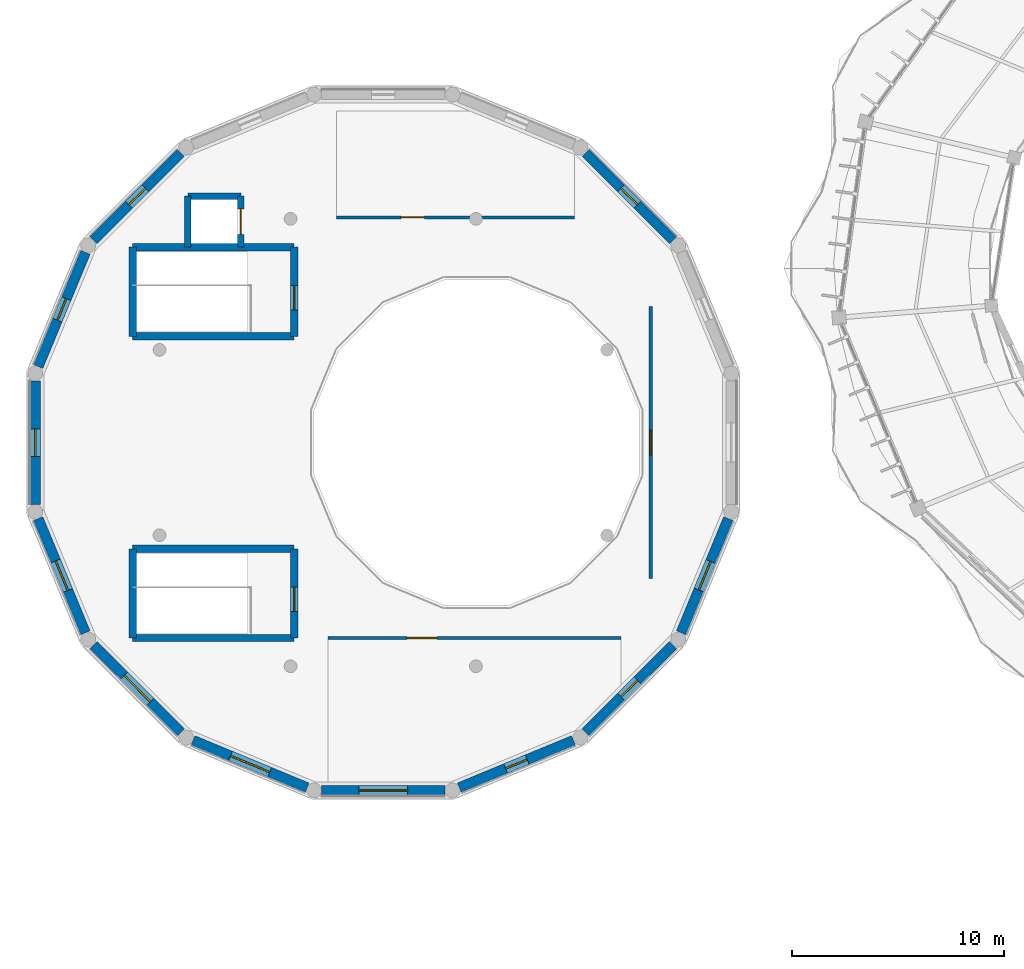
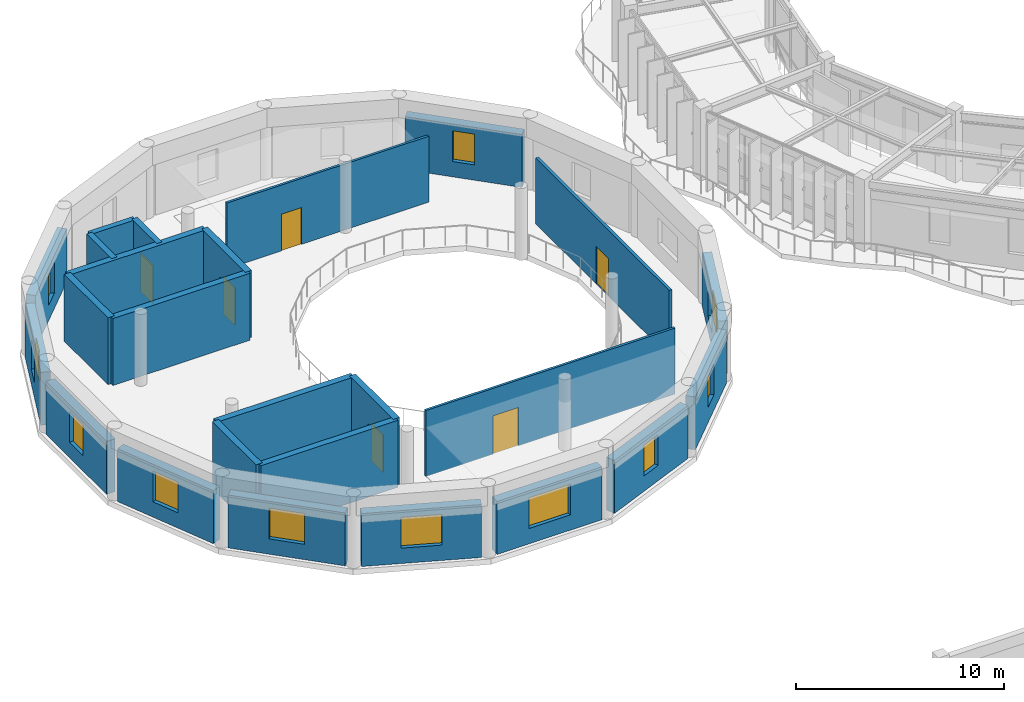
# One storey, part 91 of 114: 25 walls, 11 windows, 6 doors, 17 openings.
"""IFC4 building model written with IfcOpenShell, lengths in metres."""

from ifc_helpers import new_model, si_unit, direction, frame, frame_2d, origin, place, context, subcontext, project, spatial, rectangle, extrude, material, layer, layer_set, type_object, element, fill, save


model = new_model("IFC4")

# Units and contexts
model_context = context("Model", 3, precision=1e-05, world=origin(), true_north=direction((0.0, 1.0)))
body_context = subcontext(model_context, "Body", "Model", "MODEL_VIEW")
ifc_project = project(units=[si_unit("LENGTHUNIT", "METRE"), si_unit("AREAUNIT", "SQUARE_METRE"), si_unit("VOLUMEUNIT", "CUBIC_METRE"), si_unit("PLANEANGLEUNIT", "RADIAN"), si_unit("MASSUNIT", "GRAM", prefix="KILO"), si_unit("THERMODYNAMICTEMPERATUREUNIT", "KELVIN"), si_unit("POWERUNIT", "WATT")], contexts=[model_context])

# Site, building, storey
site_placement = place(None, origin())
site = spatial("IfcSite", under=ifc_project, at=site_placement, CompositionType="ELEMENT")
building_placement = place(site_placement, origin())
building = spatial("IfcBuilding", under=site, at=building_placement, Name="Darbajah Civic Hall", CompositionType="ELEMENT")
storey_placement = place(building_placement, frame((0.0, 0.0, 13.800048828125)))
storey = spatial("IfcBuildingStorey", under=building, at=storey_placement, Name="L03", CompositionType="ELEMENT", Elevation=13.800048828125)

# Walls
ifc_material_1 = material(Name="Concrete C45/55", Category="concrete")
ifc_layer_1 = layer(ifc_material_1, 0.300048828125, Name="Concrete C45/55")
ifc_layer_set_1 = layer_set([ifc_layer_1], Name="Concrete C45/55")
wall_type_1 = type_object("IfcWallType", Name="Core Shear Wall 300mm", PredefinedType="SHEAR", material=ifc_layer_set_1)
wall_1_placement = place(storey_placement, frame((10.10009765625, 93.199951171875, 0.0), z_axis=(0.0, 0.0, 1.0), x_axis=(-1.0, 0.0, 0.0)))
element("IfcWall", 1, at=wall_1_placement, inside=storey, type_object=wall_type_1, Name="L03 lift PL2 shaft wall N", PredefinedType="SHEAR", context=body_context, shape_type="SweptSolid", body=[
    extrude(rectangle(XDim=2.5, YDim=0.300048828125, at=frame_2d((1.25, 0.0))), origin(), (0.0, 0.0, 1.0), 3.919921875),
])
wall_2_placement = place(storey_placement, frame((7.60009765625, 93.199951171875, 0.0), z_axis=(0.0, 0.0, 1.0), x_axis=(0.0, -1.0, 0.0)))
element("IfcWall", 2, at=wall_2_placement, inside=storey, type_object=wall_type_1, Name="L03 lift PL2 shaft wall W", PredefinedType="SHEAR", context=body_context, shape_type="SweptSolid", body=[
    extrude(rectangle(XDim=2.39990234375, YDim=0.300048828125, at=frame_2d((1.199951171875, 0.0))), origin(), (0.0, 0.0, 1.0), 3.919921875),
])

# Wall, opening, door
wall_3_placement = place(storey_placement, frame((10.10009765625, 90.800048828125, 0.0), z_axis=(0.0, 0.0, 1.0), x_axis=(0.0, 1.0, 0.0)))
wall_3 = element("IfcWall", 3, at=wall_3_placement, inside=storey, type_object=wall_type_1, Name="L03 lift PL2 shaft wall E", PredefinedType="SHEAR", context=body_context, shape_type="SweptSolid", body=[
    extrude(rectangle(XDim=2.39990234375, YDim=0.300048828125, at=frame_2d((1.199951171875, 0.0))), origin(), (0.0, 0.0, 1.0), 3.919921875),
])
opening_1_placement = place(wall_3_placement, frame((0.60009765625, 0.0, 0.0)))
opening_1 = element("IfcOpeningElement", 4, at=opening_1_placement, cuts=wall_3, Name="Opening LD-0066", PredefinedType="OPENING", context=body_context, shape_type="SweptSolid", body=[
    extrude(rectangle(XDim=1.199951171875, YDim=2.25, at=frame_2d((0.60009765625, 1.125))), frame((0.0, 0.159912109375, 0.0), z_axis=(0.0, -1.0, 0.0), x_axis=(1.0, 0.0, 0.0)), (0.0, 0.0, 1.0), 0.320068359375),
])
ifc_material_2 = material(Name="Stainless Lift Landing Door")
door_type_1 = type_object("IfcDoorType", Name="Lift Landing Door 1200x2250", OperationType="SLIDING_TO_LEFT", PredefinedType="DOOR", material=ifc_material_2)
door_1_placement = place(opening_1_placement, origin())
door_1 = element("IfcDoor", 5, at=door_1_placement, inside=storey, type_object=door_type_1, Name="L03 lift PL2 landing door LD-0066", OperationType="SLIDING_TO_LEFT", OverallHeight=2.25, OverallWidth=1.199951171875, PredefinedType="DOOR", context=body_context, shape_type="SweptSolid", body=[
    extrude(rectangle(XDim=1.199951171875, YDim=2.25, at=frame_2d((0.60009765625, 1.125))), frame((0.0, 0.02490234375, 0.0), z_axis=(0.0, -1.0, 0.0), x_axis=(1.0, 0.0, 0.0)), (0.0, 0.0, 1.0), 0.050048828125),
])
fill(opening_1, door_1)

# Wall
ifc_material_3 = material(Name="Concrete C50/60", Category="concrete")
ifc_layer_2 = layer(ifc_material_3, 0.35009765625, Name="Concrete C50/60")
ifc_layer_set_2 = layer_set([ifc_layer_2], Name="Concrete C50/60")
wall_type_2 = type_object("IfcWallType", Name="Core Shear Wall 350mm", PredefinedType="SHEAR", material=ifc_layer_set_2)
wall_4_placement = place(storey_placement, frame((5.0, 86.60009765625, 0.0), z_axis=(0.0, 0.0, 1.0), x_axis=(1.0, 0.0, 0.0)))
element("IfcWall", 6, at=wall_4_placement, inside=storey, type_object=wall_type_2, Name="L03 core C04 shear wall S", PredefinedType="SHEAR", context=body_context, shape_type="SweptSolid", body=[
    extrude(rectangle(XDim=7.60009765625, YDim=0.35009765625, at=frame_2d((3.800048828125, 0.0))), origin(), (0.0, 0.0, 1.0), 3.919921875),
])

# Wall, opening, door
wall_5_placement = place(storey_placement, frame((12.60009765625, 86.60009765625, 0.0), z_axis=(0.0, 0.0, 1.0), x_axis=(0.0, 1.0, 0.0)))
wall_5 = element("IfcWall", 7, at=wall_5_placement, inside=storey, type_object=wall_type_2, Name="L03 core C04 shear wall E", PredefinedType="SHEAR", context=body_context, shape_type="SweptSolid", body=[
    extrude(rectangle(XDim=4.199951171875, YDim=0.35009765625, at=frame_2d((2.10009765625, 0.0))), origin(), (0.0, 0.0, 1.0), 3.919921875),
])
opening_2_placement = place(wall_5_placement, frame((1.25, 0.0, 0.0)))
opening_2 = element("IfcOpeningElement", 8, at=opening_2_placement, cuts=wall_5, Name="Opening SD-0061", PredefinedType="OPENING", context=body_context, shape_type="SweptSolid", body=[
    extrude(rectangle(XDim=1.14990234375, YDim=2.199951171875, at=frame_2d((0.574951171875, 1.10009765625))), frame((0.0, 0.18505859375, 0.0), z_axis=(0.0, -1.0, 0.0), x_axis=(1.0, 0.0, 0.0)), (0.0, 0.0, 1.0), 0.3701171875),
])
ifc_material_4 = material(Name="Steel Rated Core Door", Category="steel")
door_type_2 = type_object("IfcDoorType", Name="Interior Door 1150x2200", OperationType="NOTDEFINED", PredefinedType="DOOR", material=ifc_material_4)
door_2_placement = place(opening_2_placement, origin())
door_2 = element("IfcDoor", 9, at=door_2_placement, inside=storey, type_object=door_type_2, Name="L03 stair ST04 fire door SD-0061", OperationType="SINGLE_SWING_RIGHT", OverallHeight=2.199951171875, OverallWidth=1.14990234375, PredefinedType="DOOR", context=body_context, shape_type="SweptSolid", body=[
    extrude(rectangle(XDim=1.14990234375, YDim=2.199951171875, at=frame_2d((0.574951171875, 1.10009765625))), frame((0.0, 0.02490234375, 0.0), z_axis=(0.0, -1.0, 0.0), x_axis=(1.0, 0.0, 0.0)), (0.0, 0.0, 1.0), 0.050048828125),
])
fill(opening_2, door_2)

# Walls
wall_6_placement = place(storey_placement, frame((12.60009765625, 90.800048828125, 0.0), z_axis=(0.0, 0.0, 1.0), x_axis=(-1.0, 0.0, 0.0)))
element("IfcWall", 10, at=wall_6_placement, inside=storey, type_object=wall_type_2, Name="L03 core C04 shear wall N", PredefinedType="SHEAR", context=body_context, shape_type="SweptSolid", body=[
    extrude(rectangle(XDim=7.60009765625, YDim=0.35009765625, at=frame_2d((3.800048828125, 0.0))), origin(), (0.0, 0.0, 1.0), 3.919921875),
])
wall_7_placement = place(storey_placement, frame((5.0, 90.800048828125, 0.0), z_axis=(0.0, 0.0, 1.0), x_axis=(0.0, -1.0, 0.0)))
element("IfcWall", 11, at=wall_7_placement, inside=storey, type_object=wall_type_2, Name="L03 core C04 shear wall W", PredefinedType="SHEAR", context=body_context, shape_type="SweptSolid", body=[
    extrude(rectangle(XDim=4.199951171875, YDim=0.35009765625, at=frame_2d((2.10009765625, 0.0))), origin(), (0.0, 0.0, 1.0), 3.919921875),
])
wall_8_placement = place(storey_placement, frame((5.0, 72.39990234375, 0.0), z_axis=(0.0, 0.0, 1.0), x_axis=(1.0, 0.0, 0.0)))
element("IfcWall", 12, at=wall_8_placement, inside=storey, type_object=wall_type_2, Name="L03 core C05 shear wall S", PredefinedType="SHEAR", context=body_context, shape_type="SweptSolid", body=[
    extrude(rectangle(XDim=7.60009765625, YDim=0.35009765625, at=frame_2d((3.800048828125, 0.0))), origin(), (0.0, 0.0, 1.0), 3.919921875),
])

# Wall, opening, door
wall_9_placement = place(storey_placement, frame((12.60009765625, 72.39990234375, 0.0), z_axis=(0.0, 0.0, 1.0), x_axis=(0.0, 1.0, 0.0)))
wall_9 = element("IfcWall", 13, at=wall_9_placement, inside=storey, type_object=wall_type_2, Name="L03 core C05 shear wall E", PredefinedType="SHEAR", context=body_context, shape_type="SweptSolid", body=[
    extrude(rectangle(XDim=4.2001953125, YDim=0.35009765625, at=frame_2d((2.10009765625, 0.0))), origin(), (0.0, 0.0, 1.0), 3.919921875),
])
opening_3_placement = place(wall_9_placement, frame((1.25, 0.0, 0.0)))
opening_3 = element("IfcOpeningElement", 14, at=opening_3_placement, cuts=wall_9, Name="Opening SD-0071", PredefinedType="OPENING", context=body_context, shape_type="SweptSolid", body=[
    extrude(rectangle(XDim=1.14990234375, YDim=2.199951171875, at=frame_2d((0.574951171875, 1.10009765625))), frame((0.0, 0.18505859375, 0.0), z_axis=(0.0, -1.0, 0.0), x_axis=(1.0, 0.0, 0.0)), (0.0, 0.0, 1.0), 0.3701171875),
])
door_3_placement = place(opening_3_placement, origin())
door_3 = element("IfcDoor", 15, at=door_3_placement, inside=storey, type_object=door_type_2, Name="L03 stair ST05 fire door SD-0071", OperationType="SINGLE_SWING_RIGHT", OverallHeight=2.199951171875, OverallWidth=1.14990234375, PredefinedType="DOOR", context=body_context, shape_type="SweptSolid", body=[
    extrude(rectangle(XDim=1.14990234375, YDim=2.199951171875, at=frame_2d((0.574951171875, 1.10009765625))), frame((0.0, 0.02490234375, 0.0), z_axis=(0.0, -1.0, 0.0), x_axis=(1.0, 0.0, 0.0)), (0.0, 0.0, 1.0), 0.050048828125),
])
fill(opening_3, door_3)

# Walls
wall_10_placement = place(storey_placement, frame((12.60009765625, 76.60009765625, 0.0), z_axis=(0.0, 0.0, 1.0), x_axis=(-1.0, 0.0, 0.0)))
element("IfcWall", 16, at=wall_10_placement, inside=storey, type_object=wall_type_2, Name="L03 core C05 shear wall N", PredefinedType="SHEAR", context=body_context, shape_type="SweptSolid", body=[
    extrude(rectangle(XDim=7.60009765625, YDim=0.35009765625, at=frame_2d((3.800048828125, 0.0))), origin(), (0.0, 0.0, 1.0), 3.919921875),
])
wall_11_placement = place(storey_placement, frame((5.0, 76.60009765625, 0.0), z_axis=(0.0, 0.0, 1.0), x_axis=(0.0, -1.0, 0.0)))
element("IfcWall", 17, at=wall_11_placement, inside=storey, type_object=wall_type_2, Name="L03 core C05 shear wall W", PredefinedType="SHEAR", context=body_context, shape_type="SweptSolid", body=[
    extrude(rectangle(XDim=4.2001953125, YDim=0.35009765625, at=frame_2d((2.10009765625, 0.0))), origin(), (0.0, 0.0, 1.0), 3.919921875),
])

# Wall, opening, window
ifc_layer_3 = layer(ifc_material_3, 0.47998046875, Name="Concrete C50/60")
ifc_layer_set_3 = layer_set([ifc_layer_3], Name="Concrete C50/60")
wall_type_3 = type_object("IfcWallType", Name="Exterior Shear Wall 480mm", PredefinedType="SHEAR", material=ifc_layer_set_3)
wall_12_placement = place(storey_placement, frame((30.4375, 91.12744140625, 0.0), z_axis=(0.0, 0.0, 1.0), x_axis=(-0.707127782591, 0.707085779159, 0.0)))
wall_12 = element("IfcWall", 18, at=wall_12_placement, inside=storey, type_object=wall_type_3, Name="L03 exterior wall SW-480", PredefinedType="SHEAR", context=body_context, shape_type="SweptSolid", body=[
    extrude(rectangle(XDim=5.8125, YDim=0.47998046875, at=frame_2d((2.90625, 0.0))), origin(), (0.0, 0.0, 1.0), 3.099853515625),
])
opening_4_placement = place(wall_12_placement, frame((2.356201171875, 0.0, 0.89990234375)))
opening_4 = element("IfcOpeningElement", 19, at=opening_4_placement, cuts=wall_12, Name="Opening WN-17", PredefinedType="OPENING", context=body_context, shape_type="SweptSolid", body=[
    extrude(rectangle(XDim=1.10009765625, YDim=1.800048828125, at=frame_2d((0.550048828125, 0.89990234375))), frame((0.0, 0.25, 0.0), z_axis=(0.0, -1.0, 0.0), x_axis=(1.0, 0.0, 0.0)), (0.0, 0.0, 1.0), 0.5),
])
ifc_material_5 = material(Name="Low-E Solar Control Double Glazing", Category="glass")
window_type_1 = type_object("IfcWindowType", Name="Facade Window 1100x1800", PartitioningType="SINGLE_PANEL", PredefinedType="WINDOW", material=ifc_material_5)
window_1_placement = place(opening_4_placement, origin())
window_1 = element("IfcWindow", 20, at=window_1_placement, inside=storey, type_object=window_type_1, Name="L03 facade window WN-17", OverallHeight=1.800048828125, OverallWidth=1.10009765625, PartitioningType="SINGLE_PANEL", PredefinedType="WINDOW", context=body_context, shape_type="SweptSolid", body=[
    extrude(rectangle(XDim=1.10009765625, YDim=1.800048828125, at=frame_2d((0.550048828125, 0.89990234375))), frame((0.0, 0.030029296875, 0.0), z_axis=(0.0, -1.0, 0.0), x_axis=(1.0, 0.0, 0.0)), (0.0, 0.0, 1.0), 0.06005859375),
])
fill(opening_4, window_1)

wall_13_placement = place(storey_placement, frame((7.272705078125, 95.2373046875, 0.0), z_axis=(0.0, 0.0, 1.0), x_axis=(-0.707127782591, -0.707085779159, 0.0)))
wall_13 = element("IfcWall", 21, at=wall_13_placement, inside=storey, type_object=wall_type_3, Name="L03 exterior wall SW-480", PredefinedType="SHEAR", context=body_context, shape_type="SweptSolid", body=[
    extrude(rectangle(XDim=5.8125, YDim=0.47998046875, at=frame_2d((2.90625, 0.0))), origin(), (0.0, 0.0, 1.0), 3.099853515625),
])
opening_5_placement = place(wall_13_placement, frame((2.356201171875, 0.0, 0.89990234375)))
opening_5 = element("IfcOpeningElement", 22, at=opening_5_placement, cuts=wall_13, Name="Opening WN-17", PredefinedType="OPENING", context=body_context, shape_type="SweptSolid", body=[
    extrude(rectangle(XDim=1.10009765625, YDim=1.800048828125, at=frame_2d((0.550048828125, 0.89990234375))), frame((0.0, 0.25, 0.0), z_axis=(0.0, -1.0, 0.0), x_axis=(1.0, 0.0, 0.0)), (0.0, 0.0, 1.0), 0.5),
])
window_2_placement = place(opening_5_placement, origin())
window_2 = element("IfcWindow", 23, at=window_2_placement, inside=storey, type_object=window_type_1, Name="L03 facade window WN-17", OverallHeight=1.800048828125, OverallWidth=1.10009765625, PartitioningType="SINGLE_PANEL", PredefinedType="WINDOW", context=body_context, shape_type="SweptSolid", body=[
    extrude(rectangle(XDim=1.10009765625, YDim=1.800048828125, at=frame_2d((0.550048828125, 0.89990234375))), frame((0.0, 0.030029296875, 0.0), z_axis=(0.0, -1.0, 0.0), x_axis=(1.0, 0.0, 0.0)), (0.0, 0.0, 1.0), 0.06005859375),
])
fill(opening_5, window_2)

wall_14_placement = place(storey_placement, frame((2.779052734375, 90.55322265625, 0.0), z_axis=(0.0, 0.0, 1.0), x_axis=(-0.382696794395, -0.923873997664, 0.0)))
wall_14 = element("IfcWall", 24, at=wall_14_placement, inside=storey, type_object=wall_type_3, Name="L03 exterior wall SW-480", PredefinedType="SHEAR", context=body_context, shape_type="SweptSolid", body=[
    extrude(rectangle(XDim=5.812255859375, YDim=0.47998046875, at=frame_2d((2.90625, 0.0))), origin(), (0.0, 0.0, 1.0), 3.099853515625),
])
opening_6_placement = place(wall_14_placement, frame((2.356201171875, 0.0, 0.89990234375)))
opening_6 = element("IfcOpeningElement", 25, at=opening_6_placement, cuts=wall_14, Name="Opening WN-17", PredefinedType="OPENING", context=body_context, shape_type="SweptSolid", body=[
    extrude(rectangle(XDim=1.10009765625, YDim=1.800048828125, at=frame_2d((0.550048828125, 0.89990234375))), frame((0.0, 0.25, 0.0), z_axis=(0.0, -1.0, 0.0), x_axis=(1.0, 0.0, 0.0)), (0.0, 0.0, 1.0), 0.5),
])
window_3_placement = place(opening_6_placement, origin())
window_3 = element("IfcWindow", 26, at=window_3_placement, inside=storey, type_object=window_type_1, Name="L03 facade window WN-17", OverallHeight=1.800048828125, OverallWidth=1.10009765625, PartitioningType="SINGLE_PANEL", PredefinedType="WINDOW", context=body_context, shape_type="SweptSolid", body=[
    extrude(rectangle(XDim=1.10009765625, YDim=1.800048828125, at=frame_2d((0.550048828125, 0.89990234375))), frame((0.0, 0.030029296875, 0.0), z_axis=(0.0, -1.0, 0.0), x_axis=(1.0, 0.0, 0.0)), (0.0, 0.0, 1.0), 0.06005859375),
])
fill(opening_6, window_3)

wall_15_placement = place(storey_placement, frame((0.419921875, 84.506103515625, 0.0), z_axis=(0.0, 0.0, 1.0), x_axis=(0.0, -1.0, 0.0)))
wall_15 = element("IfcWall", 27, at=wall_15_placement, inside=storey, type_object=wall_type_3, Name="L03 exterior wall SW-480", PredefinedType="SHEAR", context=body_context, shape_type="SweptSolid", body=[
    extrude(rectangle(XDim=5.812255859375, YDim=0.47998046875, at=frame_2d((2.90625, 0.0))), origin(), (0.0, 0.0, 1.0), 3.099853515625),
])
opening_7_placement = place(wall_15_placement, frame((2.256103515625, 0.0, 0.89990234375)))
opening_7 = element("IfcOpeningElement", 28, at=opening_7_placement, cuts=wall_15, Name="Opening WN-18", PredefinedType="OPENING", context=body_context, shape_type="SweptSolid", body=[
    extrude(rectangle(XDim=1.300048828125, YDim=1.800048828125, at=frame_2d((0.64990234375, 0.89990234375))), frame((0.0, 0.25, 0.0), z_axis=(0.0, -1.0, 0.0), x_axis=(1.0, 0.0, 0.0)), (0.0, 0.0, 1.0), 0.5),
])
window_type_2 = type_object("IfcWindowType", Name="Facade Window 1300x1800", PartitioningType="SINGLE_PANEL", PredefinedType="WINDOW", material=ifc_material_5)
window_4_placement = place(opening_7_placement, origin())
window_4 = element("IfcWindow", 29, at=window_4_placement, inside=storey, type_object=window_type_2, Name="L03 facade window WN-18", OverallHeight=1.800048828125, OverallWidth=1.300048828125, PartitioningType="SINGLE_PANEL", PredefinedType="WINDOW", context=body_context, shape_type="SweptSolid", body=[
    extrude(rectangle(XDim=1.300048828125, YDim=1.800048828125, at=frame_2d((0.64990234375, 0.89990234375))), frame((0.0, 0.030029296875, 0.0), z_axis=(0.0, -1.0, 0.0), x_axis=(1.0, 0.0, 0.0)), (0.0, 0.0, 1.0), 0.06005859375),
])
fill(opening_7, window_4)

wall_16_placement = place(storey_placement, frame((0.5546875, 78.0166015625, 0.0), z_axis=(0.0, 0.0, 1.0), x_axis=(0.382696794395, -0.923873997664, 0.0)))
wall_16 = element("IfcWall", 30, at=wall_16_placement, inside=storey, type_object=wall_type_3, Name="L03 exterior wall SW-480", PredefinedType="SHEAR", context=body_context, shape_type="SweptSolid", body=[
    extrude(rectangle(XDim=5.812255859375, YDim=0.47998046875, at=frame_2d((2.90625, 0.0))), origin(), (0.0, 0.0, 1.0), 3.099853515625),
])
opening_8_placement = place(wall_16_placement, frame((2.15625, 0.0, 0.89990234375)))
opening_8 = element("IfcOpeningElement", 31, at=opening_8_placement, cuts=wall_16, Name="Opening WN-19", PredefinedType="OPENING", context=body_context, shape_type="SweptSolid", body=[
    extrude(rectangle(XDim=1.5, YDim=1.800048828125, at=frame_2d((0.75, 0.89990234375))), frame((0.0, 0.25, 0.0), z_axis=(0.0, -1.0, 0.0), x_axis=(1.0, 0.0, 0.0)), (0.0, 0.0, 1.0), 0.5),
])
window_type_3 = type_object("IfcWindowType", Name="Facade Window 1500x1800", PartitioningType="SINGLE_PANEL", PredefinedType="WINDOW", material=ifc_material_5)
window_5_placement = place(opening_8_placement, origin())
window_5 = element("IfcWindow", 32, at=window_5_placement, inside=storey, type_object=window_type_3, Name="L03 facade window WN-19", OverallHeight=1.800048828125, OverallWidth=1.5, PartitioningType="SINGLE_PANEL", PredefinedType="WINDOW", context=body_context, shape_type="SweptSolid", body=[
    extrude(rectangle(XDim=1.5, YDim=1.800048828125, at=frame_2d((0.75, 0.89990234375))), frame((0.0, 0.030029296875, 0.0), z_axis=(0.0, -1.0, 0.0), x_axis=(1.0, 0.0, 0.0)), (0.0, 0.0, 1.0), 0.06005859375),
])
fill(opening_8, window_5)

wall_17_placement = place(storey_placement, frame((3.16259765625, 72.072509765625, 0.0), z_axis=(0.0, 0.0, 1.0), x_axis=(0.707127782591, -0.707085779159, 0.0)))
wall_17 = element("IfcWall", 33, at=wall_17_placement, inside=storey, type_object=wall_type_3, Name="L03 exterior wall SW-480", PredefinedType="SHEAR", context=body_context, shape_type="SweptSolid", body=[
    extrude(rectangle(XDim=5.8125, YDim=0.47998046875, at=frame_2d((2.90625, 0.0))), origin(), (0.0, 0.0, 1.0), 3.099853515625),
])
opening_9_placement = place(wall_17_placement, frame((2.03125, 0.0, 0.89990234375)))
opening_9 = element("IfcOpeningElement", 34, at=opening_9_placement, cuts=wall_17, Name="Opening WN-20", PredefinedType="OPENING", context=body_context, shape_type="SweptSolid", body=[
    extrude(rectangle(XDim=1.75, YDim=1.800048828125, at=frame_2d((0.875, 0.89990234375))), frame((0.0, 0.25, 0.0), z_axis=(0.0, -1.0, 0.0), x_axis=(1.0, 0.0, 0.0)), (0.0, 0.0, 1.0), 0.5),
])
window_type_4 = type_object("IfcWindowType", Name="Facade Window 1750x1800", PartitioningType="DOUBLE_PANEL_VERTICAL", PredefinedType="WINDOW", material=ifc_material_5)
window_6_placement = place(opening_9_placement, origin())
window_6 = element("IfcWindow", 35, at=window_6_placement, inside=storey, type_object=window_type_4, Name="L03 facade window WN-20", OverallHeight=1.800048828125, OverallWidth=1.75, PartitioningType="SINGLE_PANEL", PredefinedType="WINDOW", context=body_context, shape_type="SweptSolid", body=[
    extrude(rectangle(XDim=1.75, YDim=1.800048828125, at=frame_2d((0.875, 0.89990234375))), frame((0.0, 0.030029296875, 0.0), z_axis=(0.0, -1.0, 0.0), x_axis=(1.0, 0.0, 0.0)), (0.0, 0.0, 1.0), 0.06005859375),
])
fill(opening_9, window_6)

wall_18_placement = place(storey_placement, frame((7.8466796875, 67.5791015625, 0.0), z_axis=(0.0, 0.0, 1.0), x_axis=(0.923873997664, -0.382696794395, 0.0)))
wall_18 = element("IfcWall", 36, at=wall_18_placement, inside=storey, type_object=wall_type_3, Name="L03 exterior wall SW-480", PredefinedType="SHEAR", context=body_context, shape_type="SweptSolid", body=[
    extrude(rectangle(XDim=5.812255859375, YDim=0.47998046875, at=frame_2d((2.90625, 0.0))), origin(), (0.0, 0.0, 1.0), 3.099853515625),
])
opening_10_placement = place(wall_18_placement, frame((1.90625, 0.0, 0.89990234375)))
opening_10 = element("IfcOpeningElement", 37, at=opening_10_placement, cuts=wall_18, Name="Opening WN-21", PredefinedType="OPENING", context=body_context, shape_type="SweptSolid", body=[
    extrude(rectangle(XDim=2.0, YDim=1.800048828125, at=frame_2d((1.0, 0.89990234375))), frame((0.0, 0.25, 0.0), z_axis=(0.0, -1.0, 0.0), x_axis=(1.0, 0.0, 0.0)), (0.0, 0.0, 1.0), 0.5),
])
window_type_5 = type_object("IfcWindowType", Name="Facade Window 2000x1800", PartitioningType="DOUBLE_PANEL_VERTICAL", PredefinedType="WINDOW", material=ifc_material_5)
window_7_placement = place(opening_10_placement, origin())
window_7 = element("IfcWindow", 38, at=window_7_placement, inside=storey, type_object=window_type_5, Name="L03 facade window WN-21", OverallHeight=1.800048828125, OverallWidth=2.0, PartitioningType="SINGLE_PANEL", PredefinedType="WINDOW", context=body_context, shape_type="SweptSolid", body=[
    extrude(rectangle(XDim=2.0, YDim=1.800048828125, at=frame_2d((1.0, 0.89990234375))), frame((0.0, 0.030029296875, 0.0), z_axis=(0.0, -1.0, 0.0), x_axis=(1.0, 0.0, 0.0)), (0.0, 0.0, 1.0), 0.06005859375),
])
fill(opening_10, window_7)

wall_19_placement = place(storey_placement, frame((13.893798828125, 65.219970703125, 0.0), z_axis=(0.0, 0.0, 1.0), x_axis=(1.0, 0.0, 0.0)))
wall_19 = element("IfcWall", 39, at=wall_19_placement, inside=storey, type_object=wall_type_3, Name="L03 exterior wall SW-480", PredefinedType="SHEAR", context=body_context, shape_type="SweptSolid", body=[
    extrude(rectangle(XDim=5.8125, YDim=0.47998046875, at=frame_2d((2.90625, 0.0))), origin(), (0.0, 0.0, 1.0), 3.099853515625),
])
opening_11_placement = place(wall_19_placement, frame((1.756103515625, 0.0, 0.89990234375)))
opening_11 = element("IfcOpeningElement", 40, at=opening_11_placement, cuts=wall_19, Name="Opening WN-22", PredefinedType="OPENING", context=body_context, shape_type="SweptSolid", body=[
    extrude(rectangle(XDim=2.300048828125, YDim=1.800048828125, at=frame_2d((1.14990234375, 0.89990234375))), frame((0.0, 0.25, 0.0), z_axis=(0.0, -1.0, 0.0), x_axis=(1.0, 0.0, 0.0)), (0.0, 0.0, 1.0), 0.5),
])
window_type_6 = type_object("IfcWindowType", Name="Facade Window 2300x1800", PartitioningType="DOUBLE_PANEL_VERTICAL", PredefinedType="WINDOW", material=ifc_material_5)
window_8_placement = place(opening_11_placement, origin())
window_8 = element("IfcWindow", 41, at=window_8_placement, inside=storey, type_object=window_type_6, Name="L03 facade window WN-22", OverallHeight=1.800048828125, OverallWidth=2.300048828125, PartitioningType="SINGLE_PANEL", PredefinedType="WINDOW", context=body_context, shape_type="SweptSolid", body=[
    extrude(rectangle(XDim=2.300048828125, YDim=1.800048828125, at=frame_2d((1.14990234375, 0.89990234375))), frame((0.0, 0.030029296875, 0.0), z_axis=(0.0, -1.0, 0.0), x_axis=(1.0, 0.0, 0.0)), (0.0, 0.0, 1.0), 0.06005859375),
])
fill(opening_11, window_8)

wall_20_placement = place(storey_placement, frame((20.38330078125, 65.354736328125, 0.0), z_axis=(0.0, 0.0, 1.0), x_axis=(0.923880149052, 0.3826819439, 0.0)))
wall_20 = element("IfcWall", 42, at=wall_20_placement, inside=storey, type_object=wall_type_3, Name="L03 exterior wall SW-480", PredefinedType="SHEAR", context=body_context, shape_type="SweptSolid", body=[
    extrude(rectangle(XDim=5.8125, YDim=0.47998046875, at=frame_2d((2.90625, 0.0))), origin(), (0.0, 0.0, 1.0), 3.099853515625),
])
opening_12_placement = place(wall_20_placement, frame((2.356201171875, 0.0, 0.89990234375)))
opening_12 = element("IfcOpeningElement", 43, at=opening_12_placement, cuts=wall_20, Name="Opening WN-17", PredefinedType="OPENING", context=body_context, shape_type="SweptSolid", body=[
    extrude(rectangle(XDim=1.10009765625, YDim=1.800048828125, at=frame_2d((0.550048828125, 0.89990234375))), frame((0.0, 0.25, 0.0), z_axis=(0.0, -1.0, 0.0), x_axis=(1.0, 0.0, 0.0)), (0.0, 0.0, 1.0), 0.5),
])
window_9_placement = place(opening_12_placement, origin())
window_9 = element("IfcWindow", 44, at=window_9_placement, inside=storey, type_object=window_type_1, Name="L03 facade window WN-17", OverallHeight=1.800048828125, OverallWidth=1.10009765625, PartitioningType="SINGLE_PANEL", PredefinedType="WINDOW", context=body_context, shape_type="SweptSolid", body=[
    extrude(rectangle(XDim=1.10009765625, YDim=1.800048828125, at=frame_2d((0.550048828125, 0.89990234375))), frame((0.0, 0.030029296875, 0.0), z_axis=(0.0, -1.0, 0.0), x_axis=(1.0, 0.0, 0.0)), (0.0, 0.0, 1.0), 0.06005859375),
])
fill(opening_12, window_9)

wall_21_placement = place(storey_placement, frame((26.327392578125, 67.962646484375, 0.0), z_axis=(0.0, 0.0, 1.0), x_axis=(0.707127782591, 0.707085779159, 0.0)))
wall_21 = element("IfcWall", 45, at=wall_21_placement, inside=storey, type_object=wall_type_3, Name="L03 exterior wall SW-480", PredefinedType="SHEAR", context=body_context, shape_type="SweptSolid", body=[
    extrude(rectangle(XDim=5.8125, YDim=0.47998046875, at=frame_2d((2.90625, 0.0))), origin(), (0.0, 0.0, 1.0), 3.099853515625),
])
opening_13_placement = place(wall_21_placement, frame((2.356201171875, 0.0, 0.89990234375)))
opening_13 = element("IfcOpeningElement", 46, at=opening_13_placement, cuts=wall_21, Name="Opening WN-17", PredefinedType="OPENING", context=body_context, shape_type="SweptSolid", body=[
    extrude(rectangle(XDim=1.10009765625, YDim=1.800048828125, at=frame_2d((0.550048828125, 0.89990234375))), frame((0.0, 0.25, 0.0), z_axis=(0.0, -1.0, 0.0), x_axis=(1.0, 0.0, 0.0)), (0.0, 0.0, 1.0), 0.5),
])
window_10_placement = place(opening_13_placement, origin())
window_10 = element("IfcWindow", 47, at=window_10_placement, inside=storey, type_object=window_type_1, Name="L03 facade window WN-17", OverallHeight=1.800048828125, OverallWidth=1.10009765625, PartitioningType="SINGLE_PANEL", PredefinedType="WINDOW", context=body_context, shape_type="SweptSolid", body=[
    extrude(rectangle(XDim=1.10009765625, YDim=1.800048828125, at=frame_2d((0.550048828125, 0.89990234375))), frame((0.0, 0.030029296875, 0.0), z_axis=(0.0, -1.0, 0.0), x_axis=(1.0, 0.0, 0.0)), (0.0, 0.0, 1.0), 0.06005859375),
])
fill(opening_13, window_10)

wall_22_placement = place(storey_placement, frame((30.821044921875, 72.646728515625, 0.0), z_axis=(0.0, 0.0, 1.0), x_axis=(0.382696794395, 0.923873997664, 0.0)))
wall_22 = element("IfcWall", 48, at=wall_22_placement, inside=storey, type_object=wall_type_3, Name="L03 exterior wall SW-480", PredefinedType="SHEAR", context=body_context, shape_type="SweptSolid", body=[
    extrude(rectangle(XDim=5.812255859375, YDim=0.47998046875, at=frame_2d((2.90625, 0.0))), origin(), (0.0, 0.0, 1.0), 3.099853515625),
])
opening_14_placement = place(wall_22_placement, frame((2.18115234375, 0.0, 0.89990234375)))
opening_14 = element("IfcOpeningElement", 49, at=opening_14_placement, cuts=wall_22, Name="Opening WN-25", PredefinedType="OPENING", context=body_context, shape_type="SweptSolid", body=[
    extrude(rectangle(XDim=1.449951171875, YDim=1.5, at=frame_2d((0.72509765625, 0.75))), frame((0.0, 0.25, 0.0), z_axis=(0.0, -1.0, 0.0), x_axis=(1.0, 0.0, 0.0)), (0.0, 0.0, 1.0), 0.5),
])
window_type_7 = type_object("IfcWindowType", Name="Facade Window 1450x1500", PartitioningType="SINGLE_PANEL", PredefinedType="WINDOW", material=ifc_material_5)
window_11_placement = place(opening_14_placement, origin())
window_11 = element("IfcWindow", 50, at=window_11_placement, inside=storey, type_object=window_type_7, Name="L03 facade window WN-25", OverallHeight=1.5, OverallWidth=1.449951171875, PartitioningType="SINGLE_PANEL", PredefinedType="WINDOW", context=body_context, shape_type="SweptSolid", body=[
    extrude(rectangle(XDim=1.449951171875, YDim=1.5, at=frame_2d((0.72509765625, 0.75))), frame((0.0, 0.030029296875, 0.0), z_axis=(0.0, -1.0, 0.0), x_axis=(1.0, 0.0, 0.0)), (0.0, 0.0, 1.0), 0.06005859375),
])
fill(opening_14, window_11)

# Wall, opening, door
ifc_material_6 = material(Name="Gypsum Plasterboard on Steel Stud", Category="steel")
ifc_layer_4 = layer(ifc_material_6, 0.135009765625, Name="Gypsum Plasterboard on Steel Stud")
ifc_layer_set_4 = layer_set([ifc_layer_4], Name="Gypsum Plasterboard on Steel Stud")
wall_type_4 = type_object("IfcWallType", Name="Interior Partition 135mm", PredefinedType="PARTITIONING", material=ifc_layer_set_4)
wall_23_placement = place(storey_placement, frame((14.60009765625, 92.199951171875, 0.0), z_axis=(0.0, 0.0, 1.0), x_axis=(1.0, 0.0, 0.0)))
wall_23 = element("IfcWall", 51, at=wall_23_placement, inside=storey, type_object=wall_type_4, Name="L03 interior partition L03-V2-02", PredefinedType="PARTITIONING", context=body_context, shape_type="SweptSolid", body=[
    extrude(rectangle(XDim=11.199951171875, YDim=0.135009765625, at=frame_2d((5.60009765625, 0.0))), origin(), (0.0, 0.0, 1.0), 3.85986328125),
])
opening_15_placement = place(wall_23_placement, frame((3.030029296875, 0.0, 0.0)))
opening_15 = element("IfcOpeningElement", 52, at=opening_15_placement, cuts=wall_23, Name="Opening D-0231", PredefinedType="OPENING", context=body_context, shape_type="SweptSolid", body=[
    extrude(rectangle(XDim=1.10009765625, YDim=2.14990234375, at=frame_2d((0.550048828125, 1.074951171875))), frame((0.0, 0.077392578125, 0.0), z_axis=(0.0, -1.0, 0.0), x_axis=(1.0, 0.0, 0.0)), (0.0, 0.0, 1.0), 0.155029296875),
])
ifc_material_7 = material(Name="Acoustic Oak Office Door")
door_type_3 = type_object("IfcDoorType", Name="Interior Door 1100x2150", OperationType="NOTDEFINED", PredefinedType="DOOR", material=ifc_material_7)
door_4_placement = place(opening_15_placement, origin())
door_4 = element("IfcDoor", 53, at=door_4_placement, inside=storey, type_object=door_type_3, Name="L03 L03-V2-02 door D-0231", OperationType="SINGLE_SWING_RIGHT", OverallHeight=2.14990234375, OverallWidth=1.10009765625, PredefinedType="DOOR", context=body_context, shape_type="SweptSolid", body=[
    extrude(rectangle(XDim=1.10009765625, YDim=2.14990234375, at=frame_2d((0.550048828125, 1.074951171875))), frame((0.0, 0.02490234375, 0.0), z_axis=(0.0, -1.0, 0.0), x_axis=(1.0, 0.0, 0.0)), (0.0, 0.0, 1.0), 0.050048828125),
])
fill(opening_15, door_4)

wall_24_placement = place(storey_placement, frame((14.199951171875, 72.39990234375, 0.0), z_axis=(0.0, 0.0, 1.0), x_axis=(1.0, 0.0, 0.0)))
wall_24 = element("IfcWall", 54, at=wall_24_placement, inside=storey, type_object=wall_type_4, Name="L03 interior partition L03-V2-03", PredefinedType="PARTITIONING", context=body_context, shape_type="SweptSolid", body=[
    extrude(rectangle(XDim=13.800048828125, YDim=0.135009765625, at=frame_2d((6.89990234375, 0.0))), origin(), (0.0, 0.0, 1.0), 3.85986328125),
])
opening_16_placement = place(wall_24_placement, frame((3.719970703125, 0.0, 0.0)))
opening_16 = element("IfcOpeningElement", 55, at=opening_16_placement, cuts=wall_24, Name="Opening D-0237", PredefinedType="OPENING", context=body_context, shape_type="SweptSolid", body=[
    extrude(rectangle(XDim=1.39990234375, YDim=2.25, at=frame_2d((0.699951171875, 1.125))), frame((0.0, 0.077392578125, 0.0), z_axis=(0.0, -1.0, 0.0), x_axis=(1.0, 0.0, 0.0)), (0.0, 0.0, 1.0), 0.155029296875),
])
ifc_material_8 = material(Name="Painted Hardwood Fire Door", Category="wood")
door_type_4 = type_object("IfcDoorType", Name="Interior Door 1400x2250", OperationType="NOTDEFINED", PredefinedType="DOOR", material=ifc_material_8)
door_5_placement = place(opening_16_placement, origin())
door_5 = element("IfcDoor", 56, at=door_5_placement, inside=storey, type_object=door_type_4, Name="L03 L03-V2-03 door D-0237", OperationType="SINGLE_SWING_RIGHT", OverallHeight=2.25, OverallWidth=1.39990234375, PredefinedType="DOOR", context=body_context, shape_type="SweptSolid", body=[
    extrude(rectangle(XDim=1.39990234375, YDim=2.25, at=frame_2d((0.699951171875, 1.125))), frame((0.0, 0.02490234375, 0.0), z_axis=(0.0, -1.0, 0.0), x_axis=(1.0, 0.0, 0.0)), (0.0, 0.0, 1.0), 0.050048828125),
])
fill(opening_16, door_5)

ifc_layer_5 = layer(ifc_material_6, 0.159912109375, Name="Gypsum Plasterboard on Steel Stud")
ifc_layer_set_5 = layer_set([ifc_layer_5], Name="Gypsum Plasterboard on Steel Stud")
wall_type_5 = type_object("IfcWallType", Name="Interior Partition 160mm", PredefinedType="PARTITIONING", material=ifc_layer_set_5)
wall_25_placement = place(storey_placement, frame((29.39990234375, 75.199951171875, 0.0), z_axis=(0.0, 0.0, 1.0), x_axis=(0.0, 1.0, 0.0)))
wall_25 = element("IfcWall", 57, at=wall_25_placement, inside=storey, type_object=wall_type_5, Name="L03 interior partition L03-V2-01", PredefinedType="PARTITIONING", context=body_context, shape_type="SweptSolid", body=[
    extrude(rectangle(XDim=12.800048828125, YDim=0.159912109375, at=frame_2d((6.39990234375, 0.0))), origin(), (0.0, 0.0, 1.0), 3.85986328125),
])
opening_17_placement = place(wall_25_placement, frame((5.800048828125, 0.0, 0.0)))
opening_17 = element("IfcOpeningElement", 58, at=opening_17_placement, cuts=wall_25, Name="Opening D-0230", PredefinedType="OPENING", context=body_context, shape_type="SweptSolid", body=[
    extrude(rectangle(XDim=1.199951171875, YDim=2.199951171875, at=frame_2d((0.60009765625, 1.10009765625))), frame((0.0, 0.08984375, 0.0), z_axis=(0.0, -1.0, 0.0), x_axis=(1.0, 0.0, 0.0)), (0.0, 0.0, 1.0), 0.179931640625),
])
door_type_5 = type_object("IfcDoorType", Name="Interior Door 1200x2200", OperationType="NOTDEFINED", PredefinedType="DOOR", material=ifc_material_8)
door_6_placement = place(opening_17_placement, origin())
door_6 = element("IfcDoor", 59, at=door_6_placement, inside=storey, type_object=door_type_5, Name="L03 L03-V2-01 door D-0230", OperationType="SINGLE_SWING_LEFT", OverallHeight=2.199951171875, OverallWidth=1.199951171875, PredefinedType="DOOR", context=body_context, shape_type="SweptSolid", body=[
    extrude(rectangle(XDim=1.199951171875, YDim=2.199951171875, at=frame_2d((0.60009765625, 1.10009765625))), frame((0.0, 0.02490234375, 0.0), z_axis=(0.0, -1.0, 0.0), x_axis=(1.0, 0.0, 0.0)), (0.0, 0.0, 1.0), 0.050048828125),
])
fill(opening_17, door_6)

save(model, "model.ifc")
